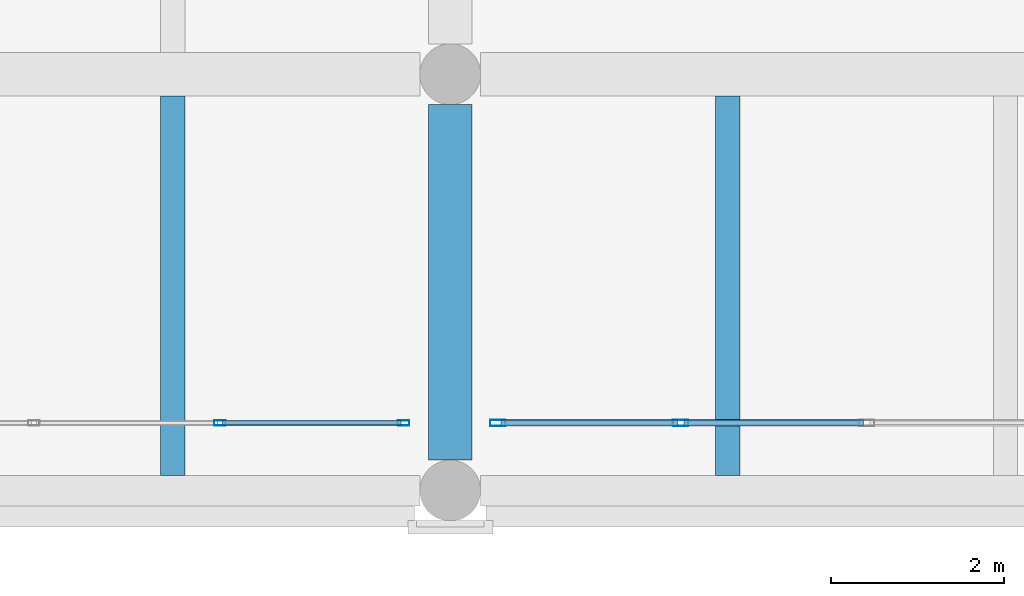
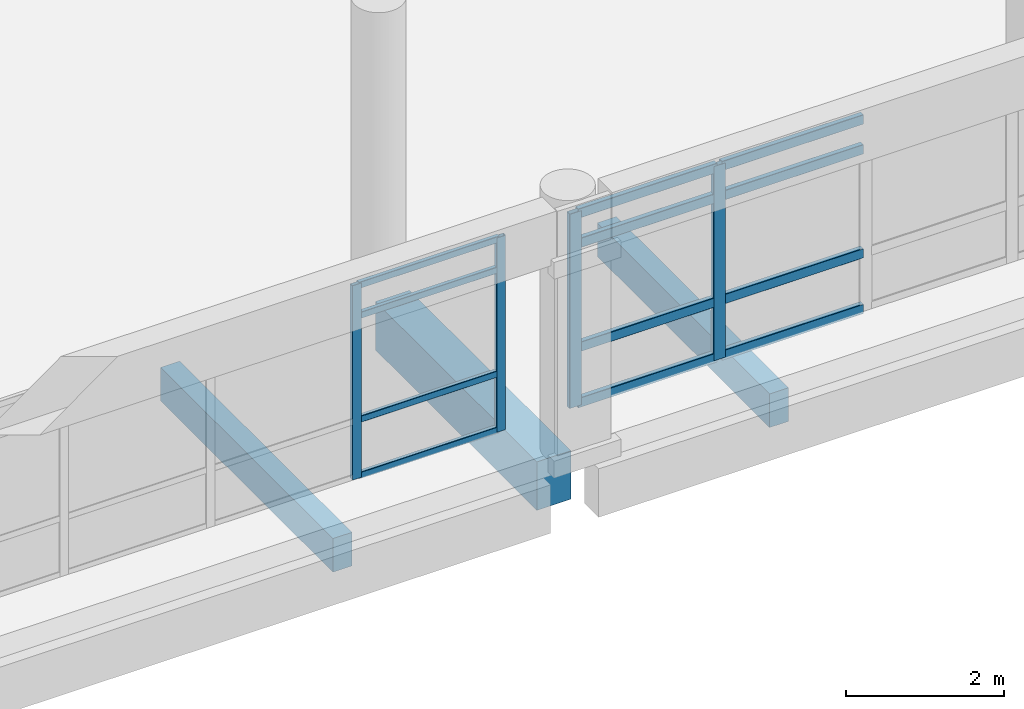
# One storey, part 13 of 180: 16 members, 3 beams, 2 elements without a shape of their own.
"""IFC4 building model written with IfcOpenShell, lengths in metres."""

from ifc_helpers import new_model, si_unit, direction, frame, origin, origin_2d, place, context, subcontext, project, spatial, rectangle, hollow_rectangle, extrude, material, layer, layer_set, material_profile, profile_set, type_object, element, aggregate, save


model = new_model("IFC4")

# Units and contexts
model_context = context("Model", 3, precision=1e-05, world=origin(), true_north=direction((0.0, 1.0)))
body_context = subcontext(model_context, "Body", "Model", "MODEL_VIEW")
ifc_project = project(units=[si_unit("LENGTHUNIT", "METRE"), si_unit("AREAUNIT", "SQUARE_METRE"), si_unit("VOLUMEUNIT", "CUBIC_METRE"), si_unit("PLANEANGLEUNIT", "RADIAN"), si_unit("MASSUNIT", "GRAM", prefix="KILO")], contexts=[model_context])

# Site, building, storey
site_placement = place(None, origin())
site = spatial("IfcSite", under=ifc_project, at=site_placement, CompositionType="ELEMENT")
building_placement = place(site_placement, origin())
building = spatial("IfcBuilding", under=site, at=building_placement, Name="Asteropetra Specialist Clinic", CompositionType="ELEMENT")
storey_placement = place(building_placement, frame((0.0, 0.0, 4.419921875)))
storey = spatial("IfcBuildingStorey", under=building, at=storey_placement, Name="L01", CompositionType="ELEMENT", Elevation=4.419921875)

# Beam
ifc_material_1 = material(Name="Concrete C35/45", Category="concrete")
ifc_material_profile_1 = material_profile(ifc_material_1, rectangle(XDim=0.5, YDim=0.75, at=origin_2d()), Name="RCB 500x750")
ifc_profile_set_1 = profile_set([ifc_material_profile_1], Name="Concrete C35/45")
beam_type_1 = type_object("IfcBeamType", Name="BM-RC500x750", PredefinedType="BEAM", material=ifc_profile_set_1)
beam_placement = place(storey_placement, frame((19.199951171875, 0.35009765625, -0.71484375), z_axis=(0.0, 1.0, 0.0), x_axis=(-1.0, 0.0, 0.0)))
element("IfcBeam", 1, at=beam_placement, inside=storey, type_object=beam_type_1, Name="Beam BBM04-0254", PredefinedType="BEAM", context=body_context, shape_type="SweptSolid", body=[
    extrude(rectangle(XDim=0.5, YDim=0.75, at=origin_2d()), origin(), (0.0, 0.0, 1.0), 4.099853515625),
])

# Curtain wall, members
ifc_material_2 = material(Name="Aluminium and low-E glass", Category="aluminium")
ifc_layer_1 = layer(ifc_material_2, 0.179931640625)
ifc_layer_set_1 = layer_set([ifc_layer_1], Name="Aluminium and low-E glass")
curtain_wall_type_1 = type_object("IfcCurtainWallType", Name="CW-SYS-10", PredefinedType="USERDEFINED", material=ifc_layer_set_1)
curtain_wall_1_placement = place(storey_placement, origin())
curtain_wall_1 = element("IfcCurtainWall", 2, at=curtain_wall_1_placement, inside=storey, type_object=curtain_wall_type_1, Name="Curtain Wall CW-134", ObjectType="STICK GLAZED COLONNADE", PredefinedType="USERDEFINED")
ifc_material_3 = material(Name="Aluminium 6063-T6", Category="aluminium")
ifc_material_profile_2 = material_profile(ifc_material_3, hollow_rectangle(XDim=0.06005859375, YDim=0.135009765625, WallThickness=0.00341796875, InnerFilletRadius=0.00341796875, OuterFilletRadius=0.007080078125, at=origin_2d()), Name="MUL 135x60x3.5")
ifc_profile_set_2 = profile_set([ifc_material_profile_2], Name="Aluminium 6063-T6")
member_type_1 = type_object("IfcMemberType", Name="CWM-135x60", PredefinedType="MULLION", material=ifc_profile_set_2)
member_1_placement = place(storey_placement, frame((16.544921875, 0.780029296875, 0.0), z_axis=(0.0, 0.0, 1.0), x_axis=(0.0, 1.0, 0.0)))
member_1 = element("IfcMember", 3, at=member_1_placement, type_object=member_type_1, Name="CW-134 mullion 4", PredefinedType="MULLION", context=body_context, shape_type="SweptSolid", body=[
    extrude(hollow_rectangle(XDim=0.06005859375, YDim=0.135009765625, WallThickness=0.00341796875, InnerFilletRadius=0.00341796875, OuterFilletRadius=0.007080078125, at=origin_2d()), origin(), (0.0, 0.0, 1.0), 3.010009765625),
])
member_2_placement = place(storey_placement, frame((18.659912109375, 0.780029296875, 0.0), z_axis=(0.0, 0.0, 1.0), x_axis=(0.0, 1.0, 0.0)))
member_2 = element("IfcMember", 4, at=member_2_placement, type_object=member_type_1, Name="CW-134 mullion 5", PredefinedType="MULLION", context=body_context, shape_type="SweptSolid", body=[
    extrude(hollow_rectangle(XDim=0.06005859375, YDim=0.135009765625, WallThickness=0.00341796875, InnerFilletRadius=0.00341796875, OuterFilletRadius=0.007080078125, at=origin_2d()), origin(), (0.0, 0.0, 1.0), 3.010009765625),
])

ifc_material_4 = material(Name="Aluminium and low-E glass", Category="aluminium")
ifc_layer_2 = layer(ifc_material_4, 0.135009765625)
ifc_layer_set_2 = layer_set([ifc_layer_2], Name="Aluminium and low-E glass")
curtain_wall_type_2 = type_object("IfcCurtainWallType", Name="CW-SYS-12", PredefinedType="USERDEFINED", material=ifc_layer_set_2)
curtain_wall_2_placement = place(storey_placement, origin())
curtain_wall_2 = element("IfcCurtainWall", 5, at=curtain_wall_2_placement, inside=storey, type_object=curtain_wall_type_2, Name="Curtain Wall CW-135", ObjectType="STICK GLAZED COLONNADE", PredefinedType="USERDEFINED")
ifc_material_5 = material(Name="Aluminium 6063-T6", Category="aluminium")
ifc_material_profile_3 = material_profile(ifc_material_5, hollow_rectangle(XDim=0.074951171875, YDim=0.179931640625, WallThickness=0.00390625, InnerFilletRadius=0.00390625, OuterFilletRadius=0.008056640625, at=origin_2d()), Name="MUL 180x75x4.0")
ifc_profile_set_3 = profile_set([ifc_material_profile_3], Name="Aluminium 6063-T6")
member_type_2 = type_object("IfcMemberType", Name="CWM-180x75", PredefinedType="MULLION", material=ifc_profile_set_3)
member_3_placement = place(storey_placement, frame((19.74755859375, 0.780029296875, 0.0), z_axis=(0.0, 0.0, 1.0), x_axis=(0.0, 1.0, 0.0)))
member_3 = element("IfcMember", 6, at=member_3_placement, type_object=member_type_2, Name="CW-135 mullion 1", PredefinedType="MULLION", context=body_context, shape_type="SweptSolid", body=[
    extrude(hollow_rectangle(XDim=0.074951171875, YDim=0.179931640625, WallThickness=0.00390625, InnerFilletRadius=0.00390625, OuterFilletRadius=0.008056640625, at=origin_2d()), origin(), (0.0, 0.0, 1.0), 3.010009765625),
])
member_4_placement = place(storey_placement, frame((21.85498046875, 0.780029296875, 0.0), z_axis=(0.0, 0.0, 1.0), x_axis=(0.0, 1.0, 0.0)))
member_4 = element("IfcMember", 7, at=member_4_placement, type_object=member_type_2, Name="CW-135 mullion 2", PredefinedType="MULLION", context=body_context, shape_type="SweptSolid", body=[
    extrude(hollow_rectangle(XDim=0.074951171875, YDim=0.179931640625, WallThickness=0.00390625, InnerFilletRadius=0.00390625, OuterFilletRadius=0.008056640625, at=origin_2d()), origin(), (0.0, 0.0, 1.0), 3.010009765625),
])

# Member
ifc_material_6 = material(Name="Aluminium 6063-T6", Category="aluminium")
ifc_material_profile_4 = material_profile(ifc_material_6, hollow_rectangle(XDim=0.06005859375, YDim=0.10009765625, WallThickness=0.00341796875, InnerFilletRadius=0.00341796875, OuterFilletRadius=0.007080078125, at=origin_2d()), Name="TRN 100x60x3.5")
ifc_profile_set_4 = profile_set([ifc_material_profile_4], Name="Aluminium 6063-T6")
member_type_3 = type_object("IfcMemberType", Name="CWT-100x60", PredefinedType="USERDEFINED", material=ifc_profile_set_4)
member_5_placement = place(storey_placement, frame((16.574951171875, 0.780029296875, 0.030029296875), z_axis=(1.0, 0.0, 0.0), x_axis=(0.0, 1.0, 0.0)))
member_5 = element("IfcMember", 8, at=member_5_placement, type_object=member_type_3, Name="CW-134 transom 4.1", ObjectType="TRANSOM", PredefinedType="USERDEFINED", context=body_context, shape_type="SweptSolid", body=[
    extrude(hollow_rectangle(XDim=0.06005859375, YDim=0.10009765625, WallThickness=0.00341796875, InnerFilletRadius=0.00341796875, OuterFilletRadius=0.007080078125, at=origin_2d()), origin(), (0.0, 0.0, 1.0), 2.054931640625),
])

member_6_placement = place(storey_placement, frame((16.574951171875, 0.780029296875, 0.900146484375), z_axis=(1.0, 0.0, 0.0), x_axis=(0.0, 1.0, 0.0)))
member_6 = element("IfcMember", 9, at=member_6_placement, type_object=member_type_3, Name="CW-134 transom 4.2", ObjectType="TRANSOM", PredefinedType="USERDEFINED", context=body_context, shape_type="SweptSolid", body=[
    extrude(hollow_rectangle(XDim=0.06005859375, YDim=0.10009765625, WallThickness=0.00341796875, InnerFilletRadius=0.00341796875, OuterFilletRadius=0.007080078125, at=origin_2d()), origin(), (0.0, 0.0, 1.0), 2.054931640625),
])

member_7_placement = place(storey_placement, frame((16.574951171875, 0.780029296875, 2.510009765625), z_axis=(1.0, 0.0, 0.0), x_axis=(0.0, 1.0, 0.0)))
member_7 = element("IfcMember", 10, at=member_7_placement, type_object=member_type_3, Name="CW-134 transom 4.3", ObjectType="TRANSOM", PredefinedType="USERDEFINED", context=body_context, shape_type="SweptSolid", body=[
    extrude(hollow_rectangle(XDim=0.06005859375, YDim=0.10009765625, WallThickness=0.00341796875, InnerFilletRadius=0.00341796875, OuterFilletRadius=0.007080078125, at=origin_2d()), origin(), (0.0, 0.0, 1.0), 2.054931640625),
])

member_8_placement = place(storey_placement, frame((16.574951171875, 0.780029296875, 2.97998046875), z_axis=(1.0, 0.0, 0.0), x_axis=(0.0, 1.0, 0.0)))
member_8 = element("IfcMember", 11, at=member_8_placement, type_object=member_type_3, Name="CW-134 transom 4.4", ObjectType="TRANSOM", PredefinedType="USERDEFINED", context=body_context, shape_type="SweptSolid", body=[
    extrude(hollow_rectangle(XDim=0.06005859375, YDim=0.10009765625, WallThickness=0.00341796875, InnerFilletRadius=0.00341796875, OuterFilletRadius=0.007080078125, at=origin_2d()), origin(), (0.0, 0.0, 1.0), 2.054931640625),
])

aggregate(curtain_wall_1, [member_1, member_2, member_5, member_6, member_7, member_8])

ifc_material_7 = material(Name="Aluminium 6063-T6", Category="aluminium")
ifc_material_profile_5 = material_profile(ifc_material_7, hollow_rectangle(XDim=0.074951171875, YDim=0.14990234375, WallThickness=0.00390625, InnerFilletRadius=0.00390625, OuterFilletRadius=0.008056640625, at=origin_2d()), Name="TRN 150x75x4.0")
ifc_profile_set_5 = profile_set([ifc_material_profile_5], Name="Aluminium 6063-T6")
member_type_4 = type_object("IfcMemberType", Name="CWT-150x75", PredefinedType="USERDEFINED", material=ifc_profile_set_5)
member_9_placement = place(storey_placement, frame((19.784912109375, 0.780029296875, 0.03759765625), z_axis=(1.0, 0.0, 0.0), x_axis=(0.0, 1.0, 0.0)))
member_9 = element("IfcMember", 12, at=member_9_placement, type_object=member_type_4, Name="CW-135 transom 1.1", ObjectType="TRANSOM", PredefinedType="USERDEFINED", context=body_context, shape_type="SweptSolid", body=[
    extrude(hollow_rectangle(XDim=0.074951171875, YDim=0.14990234375, WallThickness=0.00390625, InnerFilletRadius=0.00390625, OuterFilletRadius=0.008056640625, at=origin_2d()), origin(), (0.0, 0.0, 1.0), 2.032470703125),
])

member_10_placement = place(storey_placement, frame((19.784912109375, 0.780029296875, 0.900146484375), z_axis=(1.0, 0.0, 0.0), x_axis=(0.0, 1.0, 0.0)))
member_10 = element("IfcMember", 13, at=member_10_placement, type_object=member_type_4, Name="CW-135 transom 1.2", ObjectType="TRANSOM", PredefinedType="USERDEFINED", context=body_context, shape_type="SweptSolid", body=[
    extrude(hollow_rectangle(XDim=0.074951171875, YDim=0.14990234375, WallThickness=0.00390625, InnerFilletRadius=0.00390625, OuterFilletRadius=0.008056640625, at=origin_2d()), origin(), (0.0, 0.0, 1.0), 2.032470703125),
])

member_11_placement = place(storey_placement, frame((19.784912109375, 0.780029296875, 2.510009765625), z_axis=(1.0, 0.0, 0.0), x_axis=(0.0, 1.0, 0.0)))
member_11 = element("IfcMember", 14, at=member_11_placement, type_object=member_type_4, Name="CW-135 transom 1.3", ObjectType="TRANSOM", PredefinedType="USERDEFINED", context=body_context, shape_type="SweptSolid", body=[
    extrude(hollow_rectangle(XDim=0.074951171875, YDim=0.14990234375, WallThickness=0.00390625, InnerFilletRadius=0.00390625, OuterFilletRadius=0.008056640625, at=origin_2d()), origin(), (0.0, 0.0, 1.0), 2.032470703125),
])

member_12_placement = place(storey_placement, frame((19.784912109375, 0.780029296875, 2.97265625), z_axis=(1.0, 0.0, 0.0), x_axis=(0.0, 1.0, 0.0)))
member_12 = element("IfcMember", 15, at=member_12_placement, type_object=member_type_4, Name="CW-135 transom 1.4", ObjectType="TRANSOM", PredefinedType="USERDEFINED", context=body_context, shape_type="SweptSolid", body=[
    extrude(hollow_rectangle(XDim=0.074951171875, YDim=0.14990234375, WallThickness=0.00390625, InnerFilletRadius=0.00390625, OuterFilletRadius=0.008056640625, at=origin_2d()), origin(), (0.0, 0.0, 1.0), 2.032470703125),
])

member_13_placement = place(storey_placement, frame((21.892578125, 0.780029296875, 0.03759765625), z_axis=(1.0, 0.0, 0.0), x_axis=(0.0, 1.0, 0.0)))
member_13 = element("IfcMember", 16, at=member_13_placement, type_object=member_type_4, Name="CW-135 transom 2.1", ObjectType="TRANSOM", PredefinedType="USERDEFINED", context=body_context, shape_type="SweptSolid", body=[
    extrude(hollow_rectangle(XDim=0.074951171875, YDim=0.14990234375, WallThickness=0.00390625, InnerFilletRadius=0.00390625, OuterFilletRadius=0.008056640625, at=origin_2d()), origin(), (0.0, 0.0, 1.0), 2.06982421875),
])

member_14_placement = place(storey_placement, frame((21.892578125, 0.780029296875, 0.900146484375), z_axis=(1.0, 0.0, 0.0), x_axis=(0.0, 1.0, 0.0)))
member_14 = element("IfcMember", 17, at=member_14_placement, type_object=member_type_4, Name="CW-135 transom 2.2", ObjectType="TRANSOM", PredefinedType="USERDEFINED", context=body_context, shape_type="SweptSolid", body=[
    extrude(hollow_rectangle(XDim=0.074951171875, YDim=0.14990234375, WallThickness=0.00390625, InnerFilletRadius=0.00390625, OuterFilletRadius=0.008056640625, at=origin_2d()), origin(), (0.0, 0.0, 1.0), 2.06982421875),
])

member_15_placement = place(storey_placement, frame((21.892578125, 0.780029296875, 2.510009765625), z_axis=(1.0, 0.0, 0.0), x_axis=(0.0, 1.0, 0.0)))
member_15 = element("IfcMember", 18, at=member_15_placement, type_object=member_type_4, Name="CW-135 transom 2.3", ObjectType="TRANSOM", PredefinedType="USERDEFINED", context=body_context, shape_type="SweptSolid", body=[
    extrude(hollow_rectangle(XDim=0.074951171875, YDim=0.14990234375, WallThickness=0.00390625, InnerFilletRadius=0.00390625, OuterFilletRadius=0.008056640625, at=origin_2d()), origin(), (0.0, 0.0, 1.0), 2.06982421875),
])

member_16_placement = place(storey_placement, frame((21.892578125, 0.780029296875, 2.97265625), z_axis=(1.0, 0.0, 0.0), x_axis=(0.0, 1.0, 0.0)))
member_16 = element("IfcMember", 19, at=member_16_placement, type_object=member_type_4, Name="CW-135 transom 2.4", ObjectType="TRANSOM", PredefinedType="USERDEFINED", context=body_context, shape_type="SweptSolid", body=[
    extrude(hollow_rectangle(XDim=0.074951171875, YDim=0.14990234375, WallThickness=0.00390625, InnerFilletRadius=0.00390625, OuterFilletRadius=0.008056640625, at=origin_2d()), origin(), (0.0, 0.0, 1.0), 2.06982421875),
])

aggregate(curtain_wall_2, [member_3, member_4, member_9, member_10, member_11, member_12, member_13, member_14, member_15, member_16])

# Beams
ifc_material_8 = material(Name="Concrete C35/45", Category="concrete")
ifc_material_profile_6 = material_profile(ifc_material_8, rectangle(XDim=0.280029296875, YDim=0.52001953125, at=origin_2d()), Name="RCJ 280x520")
ifc_profile_set_6 = profile_set([ifc_material_profile_6], Name="Concrete C35/45")
beam_type_2 = type_object("IfcBeamType", Name="JST-RC280x520", PredefinedType="JOIST", material=ifc_profile_set_6)
for number, where, z_axis, x_axis, name in (
    (20, (16.0, 0.175048828125, -0.599853515625), (0.0, 1.0, 0.0), (-1.0, 0.0, 0.0), "Joist JJST01-0262"),
    (21, (22.39990234375, 0.175048828125, -0.599853515625), (0.0, 1.0, 0.0), (-1.0, 0.0, 0.0), "Joist JJST01-0263"),
):
    element("IfcBeam", number, at=place(storey_placement, frame(where, z_axis=z_axis, x_axis=x_axis)), inside=storey, type_object=beam_type_2, Name=name, PredefinedType="JOIST", context=body_context, shape_type="SweptSolid", body=[
        extrude(rectangle(XDim=0.280029296875, YDim=0.52001953125, at=origin_2d()), origin(), (0.0, 0.0, 1.0), 4.375),
    ])

save(model, "model.ifc")
